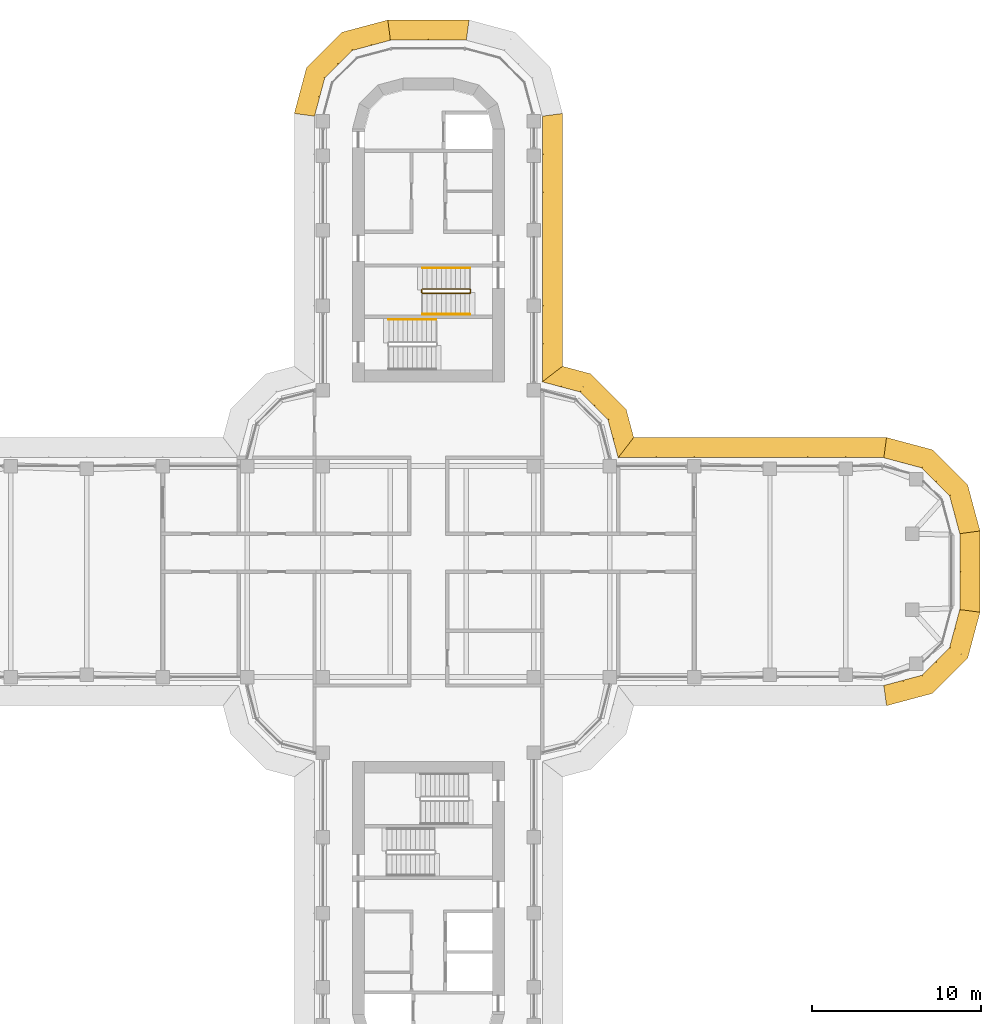
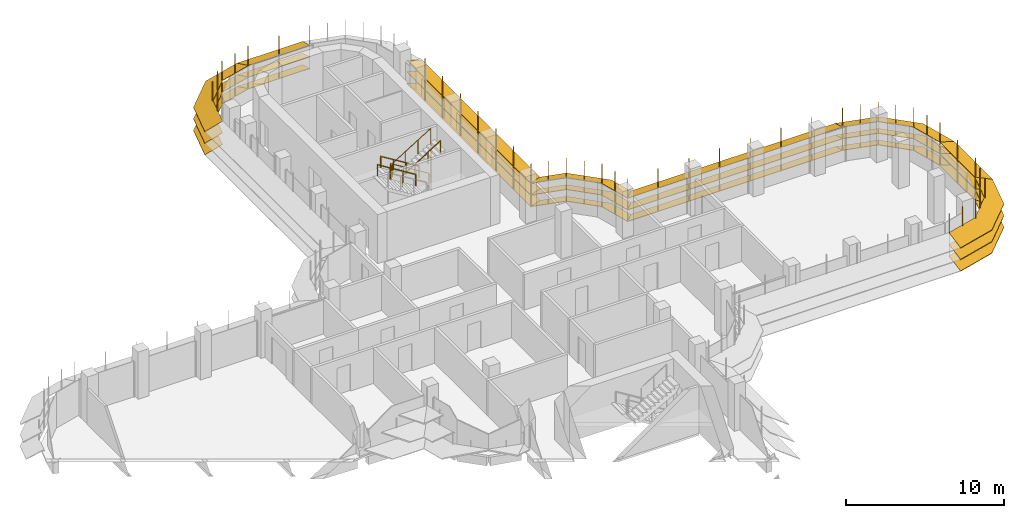
# One storey, part 19 of 20: 8 shading devices, 4 railings.
"""IFC4 building model written with IfcOpenShell, lengths in metres."""

from ifc_helpers import new_model, si_unit, direction, frame, origin, origin_2d, place, context, subcontext, project, spatial, polyline, circle, outline, extrude, faceted_brep, source, transform, mapped, material, type_object, element, save


model = new_model("IFC4")

# Units and contexts
model_context = context("Model", 3, precision=1e-05, world=origin(), true_north=direction((0.0, 1.0)))
body_context = subcontext(model_context, "Body", "Model", "MODEL_VIEW")
ifc_project = project(units=[si_unit("LENGTHUNIT", "METRE"), si_unit("AREAUNIT", "SQUARE_METRE"), si_unit("VOLUMEUNIT", "CUBIC_METRE"), si_unit("PLANEANGLEUNIT", "RADIAN"), si_unit("MASSUNIT", "GRAM", prefix="KILO")], contexts=[model_context])

# Site, building, storey
site_placement = place(None, origin())
site = spatial("IfcSite", under=ifc_project, at=site_placement, CompositionType="ELEMENT")
building_placement = place(site_placement, origin())
building = spatial("IfcBuilding", under=site, at=building_placement, Name="Zarbagh Exchange Tower", CompositionType="ELEMENT")
storey_placement = place(building_placement, frame((0.0, 0.0, 144.800048828125)))
storey = spatial("IfcBuildingStorey", under=building, at=storey_placement, Name="L34", CompositionType="ELEMENT", Elevation=144.800048828125)

# Railings
ifc_material_1 = material(Name="Stainless steel", Category="steel")
railing_type_1 = type_object("IfcRailingType", Name="Stair guard 1100 mm", PredefinedType="GUARDRAIL", material=ifc_material_1)
railing_1_placement = place(storey_placement, frame((-0.35009765625, 16.5, 2.07275390625)))
element("IfcRailing", 1, at=railing_1_placement, inside=storey, type_object=railing_type_1, Name="ST1 stair guard 1", PredefinedType="GUARDRAIL", context=body_context, shape_type="SweptSolid", body=[
    extrude(circle(Radius=0.02392578125, at=origin_2d()), frame((0.0, 0.0, 1.076171875), z_axis=(0.851089632645, 0.0, 0.525020415988), x_axis=(0.0, 1.0, 0.0)), (0.0, 0.0, 1.0), 3.2900390625),
    extrude(circle(Radius=0.02392578125, at=origin_2d()), frame((2.800048828125, 0.0, 2.80322265625), z_axis=(0.013168290981, 0.013168290981, -0.999826581076), x_axis=(-0.707106781187, 0.707106781187, 0.0)), (0.0, 0.0, 1.0), 3.80078125),
    extrude(circle(Radius=0.02392578125, at=origin_2d()), frame((2.85009765625, 0.050048828125, -0.99658203125), z_axis=(0.0, 1.0, 0.0), x_axis=(-1.0, 0.0, 0.0)), (0.0, 0.0, 1.0), 0.14990234375),
    extrude(circle(Radius=0.02392578125, at=origin_2d()), frame((2.85009765625, 0.199951171875, -0.99658203125), z_axis=(-0.268277960024, 0.268277960024, 0.925231793839), x_axis=(-0.707106781187, -0.707106781187, 0.0)), (0.0, 0.0, 1.0), 0.1865234375),
    extrude(circle(Radius=0.02392578125, at=origin_2d()), frame((2.800048828125, 0.25, -0.82421875), z_axis=(-0.851089632645, 0.0, 0.525020415988), x_axis=(0.0, -1.0, 0.0)), (0.0, 0.0, 1.0), 3.2900390625),
    extrude(circle(Radius=0.02392578125, at=origin_2d()), frame((0.0, 0.25, 0.9033203125), z_axis=(-0.705375805398, -0.708833529934, 0.0), x_axis=(0.708833529934, -0.705375805398, 0.0)), (0.0, 0.0, 1.0), 0.070556640625),
    extrude(circle(Radius=0.02392578125, at=origin_2d()), frame((-0.0498046875, 0.199951171875, 0.9033203125), z_axis=(0.0, -1.0, 0.0), x_axis=(1.0, 0.0, 0.0)), (0.0, 0.0, 1.0), 0.14990234375),
    extrude(circle(Radius=0.02099609375, at=origin_2d()), origin(), (0.0, 0.0, 1.0), 1.052001953125),
    extrude(circle(Radius=0.02099609375, at=origin_2d()), frame((0.933349609375, 0.0, 0.57568359375)), (0.0, 0.0, 1.0), 1.052001953125),
    extrude(circle(Radius=0.02099609375, at=origin_2d()), frame((1.86669921875, 0.0, 1.151611328125)), (0.0, 0.0, 1.0), 1.052001953125),
    extrude(circle(Radius=0.02099609375, at=origin_2d()), frame((2.800048828125, 0.0, 1.727294921875)), (0.0, 0.0, 1.0), 1.052001953125),
    extrude(circle(Radius=0.02099609375, at=origin_2d()), frame((2.8125, 0.012451171875, 0.77734375)), (0.0, 0.0, 1.0), 1.052001953125),
    extrude(circle(Radius=0.02099609375, at=origin_2d()), frame((2.8251953125, 0.02490234375, -0.1728515625)), (0.0, 0.0, 1.0), 1.052001953125),
    extrude(circle(Radius=0.02099609375, at=origin_2d()), frame((2.837646484375, 0.03759765625, -1.122802734375)), (0.0, 0.0, 1.0), 1.052001953125),
    extrude(circle(Radius=0.02099609375, at=origin_2d()), frame((2.85009765625, 0.050048828125, -2.07275390625)), (0.0, 0.0, 1.0), 1.052001953125),
    extrude(circle(Radius=0.02099609375, at=origin_2d()), frame((2.85009765625, 0.199951171875, -2.07275390625)), (0.0, 0.0, 1.0), 1.052001953125),
    extrude(circle(Radius=0.02099609375, at=origin_2d()), frame((2.800048828125, 0.25, -1.900146484375)), (0.0, 0.0, 1.0), 1.052001953125),
    extrude(circle(Radius=0.02099609375, at=origin_2d()), frame((1.86669921875, 0.25, -1.324462890625)), (0.0, 0.0, 1.0), 1.052001953125),
    extrude(circle(Radius=0.02099609375, at=origin_2d()), frame((0.933349609375, 0.25, -0.74853515625)), (0.0, 0.0, 1.0), 1.052001953125),
    extrude(circle(Radius=0.02099609375, at=origin_2d()), frame((0.0, 0.25, -0.1728515625)), (0.0, 0.0, 1.0), 1.052001953125),
    extrude(circle(Radius=0.02099609375, at=origin_2d()), frame((-0.0498046875, 0.199951171875, -0.1728515625)), (0.0, 0.0, 1.0), 1.052001953125),
    extrude(circle(Radius=0.02099609375, at=origin_2d()), frame((-0.0498046875, 0.050048828125, -0.1728515625)), (0.0, 0.0, 1.0), 1.052001953125),
])
railing_type_2 = type_object("IfcRailingType", Name="Stair handrail 900 mm", PredefinedType="HANDRAIL", material=ifc_material_1)
railing_2_placement = place(storey_placement, frame((2.449951171875, 18.0, 0.172607421875)))
element("IfcRailing", 2, at=railing_2_placement, inside=storey, type_object=railing_type_2, Name="ST1 stair handrail 1", PredefinedType="HANDRAIL", context=body_context, shape_type="SweptSolid", body=[
    extrude(circle(Radius=0.02392578125, at=origin_2d()), frame((0.0, 0.0, 0.8759765625), z_axis=(-0.851089632645, 0.0, 0.525020415988), x_axis=(0.0, -1.0, 0.0)), (0.0, 0.0, 1.0), 3.2900390625),
    extrude(circle(Radius=0.02099609375, at=origin_2d()), origin(), (0.0, 0.0, 1.0), 0.851806640625),
    extrude(circle(Radius=0.02099609375, at=origin_2d()), frame((-0.933349609375, 0.0, 0.57568359375)), (0.0, 0.0, 1.0), 0.851806640625),
    extrude(circle(Radius=0.02099609375, at=origin_2d()), frame((-1.86669921875, 0.0, 1.151611328125)), (0.0, 0.0, 1.0), 0.851806640625),
    extrude(circle(Radius=0.02099609375, at=origin_2d()), frame((-2.800048828125, 0.0, 1.727294921875)), (0.0, 0.0, 1.0), 0.851806640625),
])
railing_3_placement = place(storey_placement, frame((-0.35009765625, 15.25, 2.07275390625)))
element("IfcRailing", 3, at=railing_3_placement, inside=storey, type_object=railing_type_2, Name="ST1 stair handrail 2", PredefinedType="HANDRAIL", context=body_context, shape_type="SweptSolid", body=[
    extrude(circle(Radius=0.02392578125, at=origin_2d()), frame((0.0, 0.0, 0.8759765625), z_axis=(0.851089632645, 0.0, 0.525020415988), x_axis=(0.0, 1.0, 0.0)), (0.0, 0.0, 1.0), 3.2900390625),
    extrude(circle(Radius=0.02099609375, at=origin_2d()), origin(), (0.0, 0.0, 1.0), 0.851806640625),
    extrude(circle(Radius=0.02099609375, at=origin_2d()), frame((0.933349609375, 0.0, 0.57568359375)), (0.0, 0.0, 1.0), 0.851806640625),
    extrude(circle(Radius=0.02099609375, at=origin_2d()), frame((1.86669921875, 0.0, 1.151611328125)), (0.0, 0.0, 1.0), 0.851806640625),
    extrude(circle(Radius=0.02099609375, at=origin_2d()), frame((2.800048828125, 0.0, 1.727294921875)), (0.0, 0.0, 1.0), 0.851806640625),
])
railing_4_placement = place(storey_placement, frame((0.449951171875, 14.949951171875, 2.07275390625)))
element("IfcRailing", 4, at=railing_4_placement, inside=storey, type_object=railing_type_2, Name="ST2 stair handrail 2", PredefinedType="HANDRAIL", context=body_context, shape_type="SweptSolid", body=[
    extrude(circle(Radius=0.02392578125, at=origin_2d()), frame((0.0, 0.0, 0.8759765625), z_axis=(-0.851089632645, 0.0, 0.525020415988), x_axis=(0.0, -1.0, 0.0)), (0.0, 0.0, 1.0), 3.2900390625),
    extrude(circle(Radius=0.02099609375, at=origin_2d()), origin(), (0.0, 0.0, 1.0), 0.851806640625),
    extrude(circle(Radius=0.02099609375, at=origin_2d()), frame((-0.933349609375, 0.0, 0.57568359375)), (0.0, 0.0, 1.0), 0.851806640625),
    extrude(circle(Radius=0.02099609375, at=origin_2d()), frame((-1.86669921875, 0.0, 1.151611328125)), (0.0, 0.0, 1.0), 0.851806640625),
    extrude(circle(Radius=0.02099609375, at=origin_2d()), frame((-2.800048828125, 0.0, 1.727294921875)), (0.0, 0.0, 1.0), 0.851806640625),
])

# Shading devices
ifc_material_2 = material(Name="Anodised aluminium blades and brackets", Category="aluminium")
shading_device_type = type_object("IfcShadingDeviceType", Name="SUNSHADE louvre band, 22.5 degree blades", PredefinedType="JALOUSIE", material=ifc_material_2)
shared_shape_1 = source(origin(), body_context, "Body", "Brep", [
    faceted_brep([(0.0, 0.0, 0.0), (0.0, 0.0, -0.043212890625), (-0.157958984375, -1.199951171875, -0.540283203125), (-0.157958984375, -1.199951171875, -0.4970703125), (2.65087890625, -1.199951171875, -0.4970703125), (2.65087890625, -1.199951171875, -0.540283203125), (2.329345703125, 0.0, -0.043212890625), (2.329345703125, 0.0, 0.0)], [[[0, 1, 2, 3]], [[4, 5, 6, 7]], [[0, 7, 6, 1]], [[1, 6, 5, 2]], [[2, 5, 4, 3]], [[3, 4, 7, 0]]]),
])
shared_shape_2 = source(origin(), body_context, "Body", "Brep", [
    faceted_brep([(0.0, 0.0, 0.0), (0.0, 0.0, -0.043212890625), (-0.321533203125, -1.199951171875, -0.540283203125), (-0.321533203125, -1.199951171875, -0.4970703125), (2.65087890625, -1.199951171875, -0.4970703125), (2.65087890625, -1.199951171875, -0.540283203125), (2.329345703125, 0.0, -0.043212890625), (2.329345703125, 0.0, 0.0)], [[[0, 1, 2, 3]], [[4, 5, 6, 7]], [[0, 7, 6, 1]], [[1, 6, 5, 2]], [[2, 5, 4, 3]], [[3, 4, 7, 0]]]),
])
shared_shape_3 = source(origin(), body_context, "Body", "Brep", [
    faceted_brep([(0.0, 0.0, 0.0), (0.0, 0.0, -0.043212890625), (-0.321533203125, -1.199951171875, -0.540283203125), (-0.321533203125, -1.199951171875, -0.4970703125), (2.4873046875, -1.199951171875, -0.4970703125), (2.4873046875, -1.199951171875, -0.540283203125), (2.329345703125, 0.0, -0.043212890625), (2.329345703125, 0.0, 0.0)], [[[0, 1, 2, 3]], [[4, 5, 6, 7]], [[0, 7, 6, 1]], [[1, 6, 5, 2]], [[2, 5, 4, 3]], [[3, 4, 7, 0]]]),
])
shared_shape_4 = source(origin(), body_context, "Body", "SweptSolid", [
    extrude(outline(polyline([(0.0, -0.012451171875), (0.06005859375, -0.012451171875), (0.06005859375, 0.012451171875), (0.0, 0.012451171875), (0.0, -0.012451171875)])), origin(), (0.0, 0.0, 1.0), 3.353271484375),
])
placement = place(storey_placement, origin())
element("IfcShadingDevice", 5, at=placement, inside=storey, type_object=shading_device_type, Name="SS31 sunshade band", PredefinedType="JALOUSIE", context=body_context, shape_type="MappedRepresentation", body=[
    mapped(shared_shape_1, transform((27.0, -6.75, 2.300048828125), x_axis=(0.965924289636, 0.258824779902, 0.0), y_axis=(-0.258824779902, 0.965924289636, 0.0), z_axis=(0.0, 0.0, 1.0))),
    mapped(shared_shape_1, transform((27.0, -6.75, 1.39990234375), x_axis=(0.965924289636, 0.258824779902, 0.0), y_axis=(-0.258824779902, 0.965924289636, 0.0), z_axis=(0.0, 0.0, 1.0))),
    mapped(shared_shape_1, transform((27.0, -6.75, 0.5), x_axis=(0.965924289636, 0.258824779902, 0.0), y_axis=(-0.258824779902, 0.965924289636, 0.0), z_axis=(0.0, 0.0, 1.0))),
    mapped(shared_shape_2, transform((29.25, -6.147216796875, 2.300048828125), x_axis=(0.707106781187, 0.707106781187, 0.0), y_axis=(-0.707106781187, 0.707106781187, 0.0), z_axis=(0.0, 0.0, 1.0))),
    mapped(shared_shape_2, transform((29.25, -6.147216796875, 1.39990234375), x_axis=(0.707106781187, 0.707106781187, 0.0), y_axis=(-0.707106781187, 0.707106781187, 0.0), z_axis=(0.0, 0.0, 1.0))),
    mapped(shared_shape_2, transform((29.25, -6.147216796875, 0.5), x_axis=(0.707106781187, 0.707106781187, 0.0), y_axis=(-0.707106781187, 0.707106781187, 0.0), z_axis=(0.0, 0.0, 1.0))),
    mapped(shared_shape_3, transform((30.897216796875, -4.5, 2.300048828125), x_axis=(0.258824779902, 0.965924289636, 0.0), y_axis=(-0.965924289636, 0.258824779902, 0.0), z_axis=(0.0, 0.0, 1.0))),
    mapped(shared_shape_3, transform((30.897216796875, -4.5, 1.39990234375), x_axis=(0.258824779902, 0.965924289636, 0.0), y_axis=(-0.965924289636, 0.258824779902, 0.0), z_axis=(0.0, 0.0, 1.0))),
    mapped(shared_shape_3, transform((30.897216796875, -4.5, 0.5), x_axis=(0.258824779902, 0.965924289636, 0.0), y_axis=(-0.965924289636, 0.258824779902, 0.0), z_axis=(0.0, 0.0, 1.0))),
    mapped(shared_shape_4, transform((27.0, -6.75, 0.4267578125), x_axis=(0.130529263012, -0.991444457092, 0.0), y_axis=(0.991444457092, 0.130529263012, 0.0), z_axis=(0.0, 0.0, 1.0))),
    mapped(shared_shape_4, transform((28.125, -6.448486328125, 0.4267578125), x_axis=(0.258825058029, -0.96592421511, 0.0), y_axis=(0.96592421511, 0.258825058029, 0.0), z_axis=(0.0, 0.0, 1.0))),
    mapped(shared_shape_4, transform((29.25, -6.147216796875, 0.4267578125), x_axis=(0.50000275701, -0.866023812018, 0.0), y_axis=(0.866023812018, 0.50000275701, 0.0), z_axis=(0.0, 0.0, 1.0))),
    mapped(shared_shape_4, transform((30.073486328125, -5.323486328125, 0.4267578125), x_axis=(0.707106781187, -0.707106781187, 0.0), y_axis=(0.707106781187, 0.707106781187, 0.0), z_axis=(0.0, 0.0, 1.0))),
    mapped(shared_shape_4, transform((30.897216796875, -4.5, 0.4267578125), x_axis=(0.866023812018, -0.50000275701, 0.0), y_axis=(0.50000275701, 0.866023812018, 0.0), z_axis=(0.0, 0.0, 1.0))),
    mapped(shared_shape_4, transform((31.198486328125, -3.375, 0.4267578125), x_axis=(0.96592421511, -0.258825058029, 0.0), y_axis=(0.258825058029, 0.96592421511, 0.0), z_axis=(0.0, 0.0, 1.0))),
])
element("IfcShadingDevice", 6, at=placement, inside=storey, type_object=shading_device_type, Name="SS33 sunshade band", PredefinedType="JALOUSIE", context=body_context, shape_type="MappedRepresentation", body=[
    mapped(shared_shape_1, transform((31.5, 2.25, 2.300048828125), x_axis=(-0.258824779902, 0.965924289636, 0.0), y_axis=(-0.965924289636, -0.258824779902, 0.0), z_axis=(0.0, 0.0, 1.0))),
    mapped(shared_shape_1, transform((31.5, 2.25, 1.39990234375), x_axis=(-0.258824779902, 0.965924289636, 0.0), y_axis=(-0.965924289636, -0.258824779902, 0.0), z_axis=(0.0, 0.0, 1.0))),
    mapped(shared_shape_1, transform((31.5, 2.25, 0.5), x_axis=(-0.258824779902, 0.965924289636, 0.0), y_axis=(-0.965924289636, -0.258824779902, 0.0), z_axis=(0.0, 0.0, 1.0))),
    mapped(shared_shape_2, transform((30.897216796875, 4.5, 2.300048828125), x_axis=(-0.707106781187, 0.707106781187, 0.0), y_axis=(-0.707106781187, -0.707106781187, 0.0), z_axis=(0.0, 0.0, 1.0))),
    mapped(shared_shape_2, transform((30.897216796875, 4.5, 1.39990234375), x_axis=(-0.707106781187, 0.707106781187, 0.0), y_axis=(-0.707106781187, -0.707106781187, 0.0), z_axis=(0.0, 0.0, 1.0))),
    mapped(shared_shape_2, transform((30.897216796875, 4.5, 0.5), x_axis=(-0.707106781187, 0.707106781187, 0.0), y_axis=(-0.707106781187, -0.707106781187, 0.0), z_axis=(0.0, 0.0, 1.0))),
    mapped(shared_shape_3, transform((29.25, 6.147216796875, 2.300048828125), x_axis=(-0.965924289636, 0.258824779902, 0.0), y_axis=(-0.258824779902, -0.965924289636, 0.0), z_axis=(0.0, 0.0, 1.0))),
    mapped(shared_shape_3, transform((29.25, 6.147216796875, 1.39990234375), x_axis=(-0.965924289636, 0.258824779902, 0.0), y_axis=(-0.258824779902, -0.965924289636, 0.0), z_axis=(0.0, 0.0, 1.0))),
    mapped(shared_shape_3, transform((29.25, 6.147216796875, 0.5), x_axis=(-0.965924289636, 0.258824779902, 0.0), y_axis=(-0.258824779902, -0.965924289636, 0.0), z_axis=(0.0, 0.0, 1.0))),
    mapped(shared_shape_4, transform((31.5, 2.25, 0.4267578125), x_axis=(0.991444457092, 0.130529263012, 0.0), y_axis=(-0.130529263012, 0.991444457092, 0.0), z_axis=(0.0, 0.0, 1.0))),
    mapped(shared_shape_4, transform((31.198486328125, 3.375, 0.4267578125), x_axis=(0.96592421511, 0.258825058029, 0.0), y_axis=(-0.258825058029, 0.96592421511, 0.0), z_axis=(0.0, 0.0, 1.0))),
    mapped(shared_shape_4, transform((30.897216796875, 4.5, 0.4267578125), x_axis=(0.866023812018, 0.50000275701, 0.0), y_axis=(-0.50000275701, 0.866023812018, 0.0), z_axis=(0.0, 0.0, 1.0))),
    mapped(shared_shape_4, transform((30.073486328125, 5.323486328125, 0.4267578125), x_axis=(0.707106781187, 0.707106781187, 0.0), y_axis=(-0.707106781187, 0.707106781187, 0.0), z_axis=(0.0, 0.0, 1.0))),
    mapped(shared_shape_4, transform((29.25, 6.147216796875, 0.4267578125), x_axis=(0.50000275701, 0.866023812018, 0.0), y_axis=(-0.866023812018, 0.50000275701, 0.0), z_axis=(0.0, 0.0, 1.0))),
    mapped(shared_shape_4, transform((28.125, 6.448486328125, 0.4267578125), x_axis=(0.258825058029, 0.96592421511, 0.0), y_axis=(-0.96592421511, 0.258825058029, 0.0), z_axis=(0.0, 0.0, 1.0))),
])
element("IfcShadingDevice", 7, at=placement, inside=storey, type_object=shading_device_type, Name="SS28 sunshade band", PredefinedType="JALOUSIE", context=body_context, shape_type="MappedRepresentation", body=[
    mapped(shared_shape_1, transform((-2.25, 31.5, 2.300048828125), x_axis=(-0.965924289636, -0.258824779902, 0.0), y_axis=(0.258824779902, -0.965924289636, 0.0), z_axis=(0.0, 0.0, 1.0))),
    mapped(shared_shape_1, transform((-2.25, 31.5, 1.39990234375), x_axis=(-0.965924289636, -0.258824779902, 0.0), y_axis=(0.258824779902, -0.965924289636, 0.0), z_axis=(0.0, 0.0, 1.0))),
    mapped(shared_shape_1, transform((-2.25, 31.5, 0.5), x_axis=(-0.965924289636, -0.258824779902, 0.0), y_axis=(0.258824779902, -0.965924289636, 0.0), z_axis=(0.0, 0.0, 1.0))),
    mapped(shared_shape_2, transform((-4.5, 30.897216796875, 2.300048828125), x_axis=(-0.707106781187, -0.707106781187, 0.0), y_axis=(0.707106781187, -0.707106781187, 0.0), z_axis=(0.0, 0.0, 1.0))),
    mapped(shared_shape_2, transform((-4.5, 30.897216796875, 1.39990234375), x_axis=(-0.707106781187, -0.707106781187, 0.0), y_axis=(0.707106781187, -0.707106781187, 0.0), z_axis=(0.0, 0.0, 1.0))),
    mapped(shared_shape_2, transform((-4.5, 30.897216796875, 0.5), x_axis=(-0.707106781187, -0.707106781187, 0.0), y_axis=(0.707106781187, -0.707106781187, 0.0), z_axis=(0.0, 0.0, 1.0))),
    mapped(shared_shape_3, transform((-6.147216796875, 29.25, 2.300048828125), x_axis=(-0.258824779902, -0.965924289636, 0.0), y_axis=(0.965924289636, -0.258824779902, 0.0), z_axis=(0.0, 0.0, 1.0))),
    mapped(shared_shape_3, transform((-6.147216796875, 29.25, 1.39990234375), x_axis=(-0.258824779902, -0.965924289636, 0.0), y_axis=(0.965924289636, -0.258824779902, 0.0), z_axis=(0.0, 0.0, 1.0))),
    mapped(shared_shape_3, transform((-6.147216796875, 29.25, 0.5), x_axis=(-0.258824779902, -0.965924289636, 0.0), y_axis=(0.965924289636, -0.258824779902, 0.0), z_axis=(0.0, 0.0, 1.0))),
    mapped(shared_shape_4, transform((-2.25, 31.5, 0.4267578125), x_axis=(-0.130529263012, 0.991444457092, 0.0), y_axis=(-0.991444457092, -0.130529263012, 0.0), z_axis=(0.0, 0.0, 1.0))),
    mapped(shared_shape_4, transform((-3.375, 31.198486328125, 0.4267578125), x_axis=(-0.258825058029, 0.96592421511, 0.0), y_axis=(-0.96592421511, -0.258825058029, 0.0), z_axis=(0.0, 0.0, 1.0))),
    mapped(shared_shape_4, transform((-4.5, 30.897216796875, 0.4267578125), x_axis=(-0.50000275701, 0.866023812018, 0.0), y_axis=(-0.866023812018, -0.50000275701, 0.0), z_axis=(0.0, 0.0, 1.0))),
    mapped(shared_shape_4, transform((-5.323486328125, 30.073486328125, 0.4267578125), x_axis=(-0.707106781187, 0.707106781187, 0.0), y_axis=(-0.707106781187, -0.707106781187, 0.0), z_axis=(0.0, 0.0, 1.0))),
    mapped(shared_shape_4, transform((-6.147216796875, 29.25, 0.4267578125), x_axis=(-0.866023812018, 0.50000275701, 0.0), y_axis=(-0.50000275701, -0.866023812018, 0.0), z_axis=(0.0, 0.0, 1.0))),
    mapped(shared_shape_4, transform((-6.448486328125, 28.125, 0.4267578125), x_axis=(-0.96592421511, 0.258825058029, 0.0), y_axis=(-0.258825058029, -0.96592421511, 0.0), z_axis=(0.0, 0.0, 1.0))),
])
shared_shape_5 = source(origin(), body_context, "Body", "Brep", [
    faceted_brep([(0.0, 0.0, 0.0), (0.0, 0.0, -0.043212890625), (0.9208984375, -1.199951171875, -0.540283203125), (0.9208984375, -1.199951171875, -0.4970703125), (2.65087890625, -1.199951171875, -0.4970703125), (2.65087890625, -1.199951171875, -0.540283203125), (2.329345703125, 0.0, -0.043212890625), (2.329345703125, 0.0, 0.0)], [[[0, 1, 2, 3]], [[4, 5, 6, 7]], [[0, 7, 6, 1]], [[1, 6, 5, 2]], [[2, 5, 4, 3]], [[3, 4, 7, 0]]]),
])
shared_shape_6 = source(origin(), body_context, "Body", "Brep", [
    faceted_brep([(0.0, 0.0, 0.0), (0.0, 0.0, -0.043212890625), (-0.321533203125, -1.199951171875, -0.540283203125), (-0.321533203125, -1.199951171875, -0.4970703125), (1.40869140625, -1.199951171875, -0.4970703125), (1.40869140625, -1.199951171875, -0.540283203125), (2.329345703125, 0.0, -0.043212890625), (2.329345703125, 0.0, 0.0)], [[[0, 1, 2, 3]], [[4, 5, 6, 7]], [[0, 7, 6, 1]], [[1, 6, 5, 2]], [[2, 5, 4, 3]], [[3, 4, 7, 0]]]),
])
element("IfcShadingDevice", 8, at=placement, inside=storey, type_object=shading_device_type, Name="SS09 sunshade band", PredefinedType="JALOUSIE", context=body_context, shape_type="MappedRepresentation", body=[
    mapped(shared_shape_5, transform((11.25, 6.75, 2.300048828125), x_axis=(-0.258824779902, 0.965924289636, 0.0), y_axis=(-0.965924289636, -0.258824779902, 0.0), z_axis=(0.0, 0.0, 1.0))),
    mapped(shared_shape_5, transform((11.25, 6.75, 1.39990234375), x_axis=(-0.258824779902, 0.965924289636, 0.0), y_axis=(-0.965924289636, -0.258824779902, 0.0), z_axis=(0.0, 0.0, 1.0))),
    mapped(shared_shape_5, transform((11.25, 6.75, 0.5), x_axis=(-0.258824779902, 0.965924289636, 0.0), y_axis=(-0.965924289636, -0.258824779902, 0.0), z_axis=(0.0, 0.0, 1.0))),
    mapped(shared_shape_2, transform((10.647216796875, 9.0, 2.300048828125), x_axis=(-0.707106781187, 0.707106781187, 0.0), y_axis=(-0.707106781187, -0.707106781187, 0.0), z_axis=(0.0, 0.0, 1.0))),
    mapped(shared_shape_2, transform((10.647216796875, 9.0, 1.39990234375), x_axis=(-0.707106781187, 0.707106781187, 0.0), y_axis=(-0.707106781187, -0.707106781187, 0.0), z_axis=(0.0, 0.0, 1.0))),
    mapped(shared_shape_2, transform((10.647216796875, 9.0, 0.5), x_axis=(-0.707106781187, 0.707106781187, 0.0), y_axis=(-0.707106781187, -0.707106781187, 0.0), z_axis=(0.0, 0.0, 1.0))),
    mapped(shared_shape_6, transform((9.0, 10.647216796875, 2.300048828125), x_axis=(-0.965924289636, 0.258824779902, 0.0), y_axis=(-0.258824779902, -0.965924289636, 0.0), z_axis=(0.0, 0.0, 1.0))),
    mapped(shared_shape_6, transform((9.0, 10.647216796875, 1.39990234375), x_axis=(-0.965924289636, 0.258824779902, 0.0), y_axis=(-0.258824779902, -0.965924289636, 0.0), z_axis=(0.0, 0.0, 1.0))),
    mapped(shared_shape_6, transform((9.0, 10.647216796875, 0.5), x_axis=(-0.965924289636, 0.258824779902, 0.0), y_axis=(-0.258824779902, -0.965924289636, 0.0), z_axis=(0.0, 0.0, 1.0))),
    mapped(shared_shape_4, transform((11.25, 6.75, 0.4267578125), x_axis=(0.608758892, 0.793355287, 0.0), y_axis=(-0.793355287, 0.608758892, 0.0), z_axis=(0.0, 0.0, 1.0))),
    mapped(shared_shape_4, transform((10.948486328125, 7.875, 0.4267578125), x_axis=(0.96592421511, 0.258825058029, 0.0), y_axis=(-0.258825058029, 0.96592421511, 0.0), z_axis=(0.0, 0.0, 1.0))),
    mapped(shared_shape_4, transform((10.647216796875, 9.0, 0.4267578125), x_axis=(0.866023812018, 0.50000275701, 0.0), y_axis=(-0.50000275701, 0.866023812018, 0.0), z_axis=(0.0, 0.0, 1.0))),
    mapped(shared_shape_4, transform((9.823486328125, 9.823486328125, 0.4267578125), x_axis=(0.707106781187, 0.707106781187, 0.0), y_axis=(-0.707106781187, 0.707106781187, 0.0), z_axis=(0.0, 0.0, 1.0))),
    mapped(shared_shape_4, transform((9.0, 10.647216796875, 0.4267578125), x_axis=(0.50000275701, 0.866023812018, 0.0), y_axis=(-0.866023812018, 0.50000275701, 0.0), z_axis=(0.0, 0.0, 1.0))),
    mapped(shared_shape_4, transform((7.875, 10.948486328125, 0.4267578125), x_axis=(0.258825058029, 0.96592421511, 0.0), y_axis=(-0.96592421511, 0.258825058029, 0.0), z_axis=(0.0, 0.0, 1.0))),
])
shared_shape_7 = source(origin(), body_context, "Body", "Brep", [
    faceted_brep([(0.0, 0.0, 0.0), (0.0, 0.0, -0.043212890625), (-0.157958984375, -1.199951171875, -0.540283203125), (-0.157958984375, -1.199951171875, -0.4970703125), (4.657958984375, -1.199951171875, -0.4970703125), (4.657958984375, -1.199951171875, -0.540283203125), (4.5, 0.0, -0.043212890625), (4.5, 0.0, 0.0)], [[[0, 1, 2, 3]], [[4, 5, 6, 7]], [[0, 7, 6, 1]], [[1, 6, 5, 2]], [[2, 5, 4, 3]], [[3, 4, 7, 0]]]),
])
element("IfcShadingDevice", 9, at=placement, inside=storey, type_object=shading_device_type, Name="SS32 sunshade band", PredefinedType="JALOUSIE", context=body_context, shape_type="MappedRepresentation", body=[
    mapped(shared_shape_7, transform((31.5, -2.25, 2.300048828125), x_axis=(0.0, 1.0, 0.0), y_axis=(-1.0, 0.0, 0.0), z_axis=(0.0, 0.0, 1.0))),
    mapped(shared_shape_7, transform((31.5, -2.25, 1.39990234375), x_axis=(0.0, 1.0, 0.0), y_axis=(-1.0, 0.0, 0.0), z_axis=(0.0, 0.0, 1.0))),
    mapped(shared_shape_7, transform((31.5, -2.25, 0.5), x_axis=(0.0, 1.0, 0.0), y_axis=(-1.0, 0.0, 0.0), z_axis=(0.0, 0.0, 1.0))),
    mapped(shared_shape_4, transform((31.5, -2.25, 0.4267578125), x_axis=(0.991444457092, -0.130529263012, 0.0), y_axis=(0.130529263012, 0.991444457092, 0.0), z_axis=(0.0, 0.0, 1.0))),
    mapped(shared_shape_4, transform((31.5, 0.0, 0.4267578125), x_axis=(1.0, 0.0, 0.0), y_axis=(0.0, 1.0, 0.0), z_axis=(0.0, 0.0, 1.0))),
])
shared_shape_8 = source(origin(), body_context, "Body", "Brep", [
    faceted_brep([(0.0, 0.0, 0.0), (0.0, 0.0, -0.043212890625), (-0.157958984375, -1.199951171875, -0.540283203125), (-0.157958984375, -1.199951171875, -0.4970703125), (14.8291015625, -1.199951171875, -0.4970703125), (14.8291015625, -1.199951171875, -0.540283203125), (15.75, 0.0, -0.043212890625), (15.75, 0.0, 0.0)], [[[0, 1, 2, 3]], [[4, 5, 6, 7]], [[0, 7, 6, 1]], [[1, 6, 5, 2]], [[2, 5, 4, 3]], [[3, 4, 7, 0]]]),
])
element("IfcShadingDevice", 10, at=placement, inside=storey, type_object=shading_device_type, Name="SS34 sunshade band", PredefinedType="JALOUSIE", context=body_context, shape_type="MappedRepresentation", body=[
    mapped(shared_shape_8, transform((27.0, 6.75, 2.300048828125), x_axis=(-1.0, 0.0, 0.0), y_axis=(0.0, -1.0, 0.0), z_axis=(0.0, 0.0, 1.0))),
    mapped(shared_shape_8, transform((27.0, 6.75, 1.39990234375), x_axis=(-1.0, 0.0, 0.0), y_axis=(0.0, -1.0, 0.0), z_axis=(0.0, 0.0, 1.0))),
    mapped(shared_shape_8, transform((27.0, 6.75, 0.5), x_axis=(-1.0, 0.0, 0.0), y_axis=(0.0, -1.0, 0.0), z_axis=(0.0, 0.0, 1.0))),
    mapped(shared_shape_4, transform((27.0, 6.75, 0.4267578125), x_axis=(0.130529263012, 0.991444457092, 0.0), y_axis=(-0.991444457092, 0.130529263012, 0.0), z_axis=(0.0, 0.0, 1.0))),
    mapped(shared_shape_4, transform((24.75, 6.75, 0.4267578125), x_axis=(0.0, 1.0, 0.0), y_axis=(-1.0, 0.0, 0.0), z_axis=(0.0, 0.0, 1.0))),
    mapped(shared_shape_4, transform((22.5, 6.75, 0.4267578125), x_axis=(0.0, 1.0, 0.0), y_axis=(-1.0, 0.0, 0.0), z_axis=(0.0, 0.0, 1.0))),
    mapped(shared_shape_4, transform((20.25, 6.75, 0.4267578125), x_axis=(0.0, 1.0, 0.0), y_axis=(-1.0, 0.0, 0.0), z_axis=(0.0, 0.0, 1.0))),
    mapped(shared_shape_4, transform((18.0, 6.75, 0.4267578125), x_axis=(0.0, 1.0, 0.0), y_axis=(-1.0, 0.0, 0.0), z_axis=(0.0, 0.0, 1.0))),
    mapped(shared_shape_4, transform((15.75, 6.75, 0.4267578125), x_axis=(0.0, 1.0, 0.0), y_axis=(-1.0, 0.0, 0.0), z_axis=(0.0, 0.0, 1.0))),
    mapped(shared_shape_4, transform((13.5, 6.75, 0.4267578125), x_axis=(0.0, 1.0, 0.0), y_axis=(-1.0, 0.0, 0.0), z_axis=(0.0, 0.0, 1.0))),
])
shared_shape_9 = source(origin(), body_context, "Body", "Brep", [
    faceted_brep([(0.0, 0.0, 0.0), (0.0, 0.0, -0.043212890625), (0.9208984375, -1.199951171875, -0.540283203125), (0.9208984375, -1.199951171875, -0.4970703125), (15.907958984375, -1.199951171875, -0.4970703125), (15.907958984375, -1.199951171875, -0.540283203125), (15.75, 0.0, -0.043212890625), (15.75, 0.0, 0.0)], [[[0, 1, 2, 3]], [[4, 5, 6, 7]], [[0, 7, 6, 1]], [[1, 6, 5, 2]], [[2, 5, 4, 3]], [[3, 4, 7, 0]]]),
])
element("IfcShadingDevice", 11, at=placement, inside=storey, type_object=shading_device_type, Name="SS25 sunshade band", PredefinedType="JALOUSIE", context=body_context, shape_type="MappedRepresentation", body=[
    mapped(shared_shape_9, transform((6.75, 11.25, 2.300048828125), x_axis=(0.0, 1.0, 0.0), y_axis=(-1.0, 0.0, 0.0), z_axis=(0.0, 0.0, 1.0))),
    mapped(shared_shape_9, transform((6.75, 11.25, 1.39990234375), x_axis=(0.0, 1.0, 0.0), y_axis=(-1.0, 0.0, 0.0), z_axis=(0.0, 0.0, 1.0))),
    mapped(shared_shape_9, transform((6.75, 11.25, 0.5), x_axis=(0.0, 1.0, 0.0), y_axis=(-1.0, 0.0, 0.0), z_axis=(0.0, 0.0, 1.0))),
    mapped(shared_shape_4, transform((6.75, 11.25, 0.4267578125), x_axis=(0.793355287, 0.608758892, 0.0), y_axis=(-0.608758892, 0.793355287, 0.0), z_axis=(0.0, 0.0, 1.0))),
    mapped(shared_shape_4, transform((6.75, 13.5, 0.4267578125), x_axis=(1.0, 0.0, 0.0), y_axis=(0.0, 1.0, 0.0), z_axis=(0.0, 0.0, 1.0))),
    mapped(shared_shape_4, transform((6.75, 15.75, 0.4267578125), x_axis=(1.0, 0.0, 0.0), y_axis=(0.0, 1.0, 0.0), z_axis=(0.0, 0.0, 1.0))),
    mapped(shared_shape_4, transform((6.75, 18.0, 0.4267578125), x_axis=(1.0, 0.0, 0.0), y_axis=(0.0, 1.0, 0.0), z_axis=(0.0, 0.0, 1.0))),
    mapped(shared_shape_4, transform((6.75, 20.25, 0.4267578125), x_axis=(1.0, 0.0, 0.0), y_axis=(0.0, 1.0, 0.0), z_axis=(0.0, 0.0, 1.0))),
    mapped(shared_shape_4, transform((6.75, 22.5, 0.4267578125), x_axis=(1.0, 0.0, 0.0), y_axis=(0.0, 1.0, 0.0), z_axis=(0.0, 0.0, 1.0))),
    mapped(shared_shape_4, transform((6.75, 24.75, 0.4267578125), x_axis=(1.0, 0.0, 0.0), y_axis=(0.0, 1.0, 0.0), z_axis=(0.0, 0.0, 1.0))),
])
element("IfcShadingDevice", 12, at=placement, inside=storey, type_object=shading_device_type, Name="SS27 sunshade band", PredefinedType="JALOUSIE", context=body_context, shape_type="MappedRepresentation", body=[
    mapped(shared_shape_7, transform((2.25, 31.5, 2.300048828125), x_axis=(-1.0, 0.0, 0.0), y_axis=(0.0, -1.0, 0.0), z_axis=(0.0, 0.0, 1.0))),
    mapped(shared_shape_7, transform((2.25, 31.5, 1.39990234375), x_axis=(-1.0, 0.0, 0.0), y_axis=(0.0, -1.0, 0.0), z_axis=(0.0, 0.0, 1.0))),
    mapped(shared_shape_7, transform((2.25, 31.5, 0.5), x_axis=(-1.0, 0.0, 0.0), y_axis=(0.0, -1.0, 0.0), z_axis=(0.0, 0.0, 1.0))),
    mapped(shared_shape_4, transform((2.25, 31.5, 0.4267578125), x_axis=(0.130529263012, 0.991444457092, 0.0), y_axis=(-0.991444457092, 0.130529263012, 0.0), z_axis=(0.0, 0.0, 1.0))),
    mapped(shared_shape_4, transform((0.0, 31.5, 0.4267578125), x_axis=(0.0, 1.0, 0.0), y_axis=(-1.0, 0.0, 0.0), z_axis=(0.0, 0.0, 1.0))),
])

save(model, "model.ifc")
